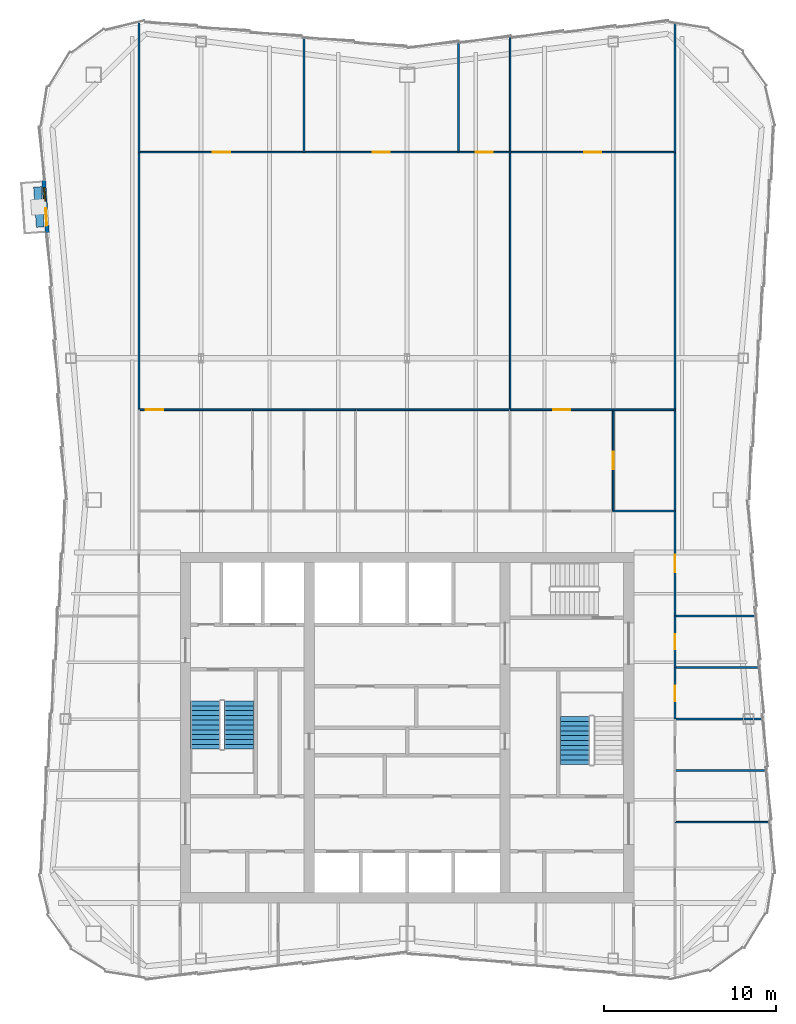
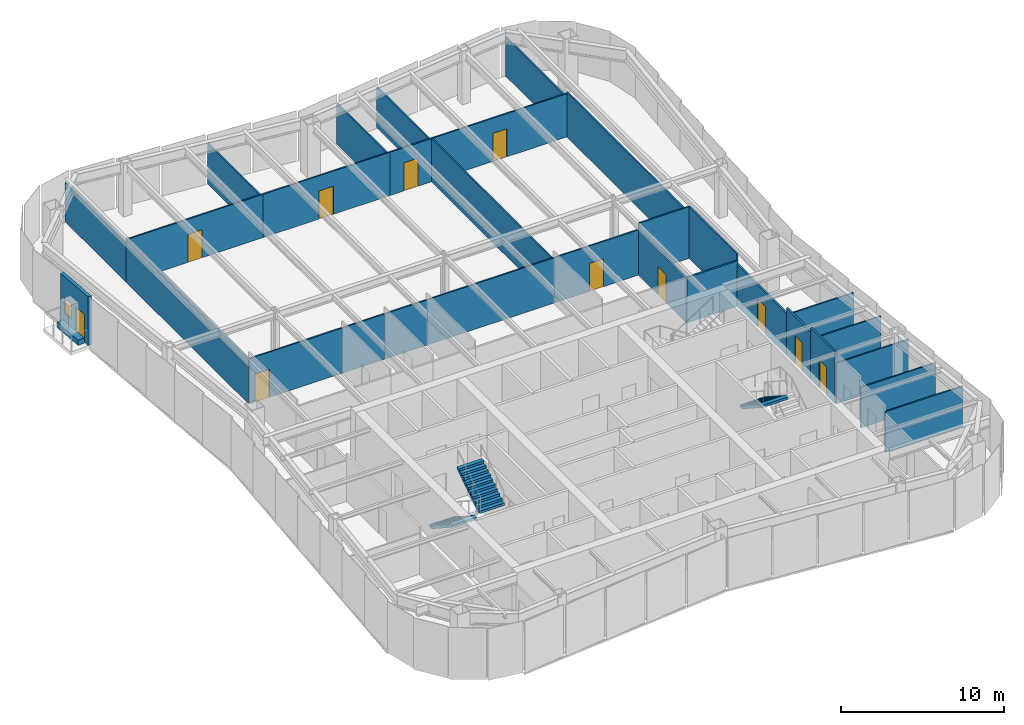
# One storey, part 8 of 11: 31 walls, 11 doors, 3 stair flights, 1 window, 12 openings, 2 elements without a shape of their own.
"""IFC4 building model written with IfcOpenShell, lengths in metres."""

from ifc_helpers import new_model, si_unit, direction, frame, frame_2d, origin, place, context, subcontext, project, spatial, polyline, rectangle, outline, extrude, material, layer, layer_set, type_object, element, fill, aggregate, save


model = new_model("IFC4")

# Units and contexts
model_context = context("Model", 3, precision=1e-05, world=origin(), true_north=direction((0.0, 1.0)))
body_context = subcontext(model_context, "Body", "Model", "MODEL_VIEW")
ifc_project = project(units=[si_unit("LENGTHUNIT", "METRE"), si_unit("AREAUNIT", "SQUARE_METRE"), si_unit("VOLUMEUNIT", "CUBIC_METRE"), si_unit("PLANEANGLEUNIT", "RADIAN"), si_unit("MASSUNIT", "GRAM", prefix="KILO")], contexts=[model_context])

# Site, building, storey
site_placement = place(None, origin())
site = spatial("IfcSite", under=ifc_project, at=site_placement, CompositionType="ELEMENT")
building_placement = place(site_placement, origin())
building = spatial("IfcBuilding", under=site, at=building_placement, Name="Verdant Reach Tower", CompositionType="ELEMENT")
storey_placement = place(building_placement, frame((0.0, 0.0, 314.0)))
storey = spatial("IfcBuildingStorey", under=building, at=storey_placement, Name="L72", CompositionType="ELEMENT", Elevation=314.0)

# Wall, openings, door, window
ifc_material_1 = material(Name="Insulated bronze aluminium panel wall", Category="aluminium")
ifc_layer_1 = layer(ifc_material_1, 0.219970703125)
ifc_layer_set_1 = layer_set([ifc_layer_1], Name="EN-INFILL WALL")
wall_type_1 = type_object("IfcWallType", Name="EN-INFILL WALL", PredefinedType="SOLIDWALL", material=ifc_layer_set_1)
wall_1_placement = place(storey_placement, frame((-21.14794921875, 59.85009765625, 0.0), z_axis=(0.0, 0.0, 1.0), x_axis=(0.068802091615, -0.997630328423, 0.0)))
wall_1 = element("IfcWall", 1, at=wall_1_placement, inside=storey, type_object=wall_type_1, Name="External infill wall, balcony bay 1, L72", PredefinedType="SOLIDWALL", context=body_context, shape_type="SweptSolid", body=[
    extrude(rectangle(XDim=3.044677734375, YDim=0.22998046875, at=frame_2d((1.5224609375, 0.0))), origin(), (0.0, 0.0, 1.0), 3.64990234375),
])
opening_1_placement = place(wall_1_placement, frame((1.629638671875, 0.0, 0.0)))
opening_1 = element("IfcOpeningElement", 2, at=opening_1_placement, cuts=wall_1, Name="Opening BD1", PredefinedType="OPENING", context=body_context, shape_type="SweptSolid", body=[
    extrude(rectangle(XDim=1.0, YDim=2.10009765625, at=frame_2d((0.5, 1.050048828125))), frame((0.0, 0.125, 0.0), z_axis=(0.0, -1.0, 0.0), x_axis=(1.0, 0.0, 0.0)), (0.0, 0.0, 1.0), 0.25),
])
opening_2_placement = place(wall_1_placement, frame((0.414794921875, 0.0, 0.89990234375)))
opening_2 = element("IfcOpeningElement", 3, at=opening_2_placement, cuts=wall_1, Name="Opening BW1", PredefinedType="OPENING", context=body_context, shape_type="SweptSolid", body=[
    extrude(rectangle(XDim=0.800048828125, YDim=1.199951171875, at=frame_2d((0.39990234375, 0.60009765625))), frame((0.0, 0.125, 0.0), z_axis=(0.0, -1.0, 0.0), x_axis=(1.0, 0.0, 0.0)), (0.0, 0.0, 1.0), 0.25),
])
ifc_material_2 = material(Name="Aluminium framed glazed door", Category="aluminium")
door_type_1 = type_object("IfcDoorType", Name="EN-DOOR BALCONY", OperationType="NOTDEFINED", PredefinedType="DOOR", material=ifc_material_2)
door_1_placement = place(opening_1_placement, origin())
door_1 = element("IfcDoor", 4, at=door_1_placement, inside=storey, type_object=door_type_1, Name="Balcony door 1, L72", OperationType="SINGLE_SWING_RIGHT", OverallHeight=2.10009765625, OverallWidth=1.0, PredefinedType="DOOR", context=body_context, shape_type="SweptSolid", body=[
    extrude(rectangle(XDim=1.0, YDim=2.10009765625, at=frame_2d((0.5, 1.050048828125))), frame((0.0, 0.02490234375, 0.0), z_axis=(0.0, -1.0, 0.0), x_axis=(1.0, 0.0, 0.0)), (0.0, 0.0, 1.0), 0.050048828125),
])
fill(opening_1, door_1)
ifc_material_3 = material(Name="Aluminium framed glazing", Category="aluminium")
window_type = type_object("IfcWindowType", Name="EN-WINDOW BALCONY", PartitioningType="SINGLE_PANEL", PredefinedType="WINDOW", material=ifc_material_3)
window_placement = place(opening_2_placement, origin())
window = element("IfcWindow", 5, at=window_placement, inside=storey, type_object=window_type, Name="Balcony window 1, L72", OverallHeight=1.199951171875, OverallWidth=0.800048828125, PartitioningType="SINGLE_PANEL", PredefinedType="WINDOW", context=body_context, shape_type="SweptSolid", body=[
    extrude(rectangle(XDim=0.800048828125, YDim=1.199951171875, at=frame_2d((0.39990234375, 0.60009765625))), frame((0.0, 0.030029296875, 0.0), z_axis=(0.0, -1.0, 0.0), x_axis=(1.0, 0.0, 0.0)), (0.0, 0.0, 1.0), 0.06005859375),
])
fill(opening_2, window)

# Walls
ifc_material_4 = material(Name="Precast concrete C30/37", Category="concrete")
ifc_layer_2 = layer(ifc_material_4, 0.449951171875)
ifc_layer_set_2 = layer_set([ifc_layer_2], Name="EN-PLANTER")
wall_type_2 = type_object("IfcWallType", Name="EN-PLANTER", PredefinedType="USERDEFINED", material=ifc_layer_set_2)
wall_2_placement = place(storey_placement, frame((-21.512939453125, 59.47412109375, 0.0), z_axis=(0.0, 0.0, 1.0), x_axis=(0.068723472833, -0.997635747295, 0.0)))
element("IfcWall", 6, at=wall_2_placement, inside=storey, type_object=wall_type_2, Name="Balcony planter 1, L72", ObjectType="PLANTER", PredefinedType="USERDEFINED", context=body_context, shape_type="SweptSolid", body=[
    extrude(rectangle(XDim=2.3447265625, YDim=0.449951171875, at=frame_2d((1.17236328125, 0.0))), origin(), (0.0, 0.0, 1.0), 0.39990234375),
])
ifc_material_5 = material(Name="Gypsum board on steel studs", Category="steel")
ifc_layer_3 = layer(ifc_material_5, 0.10009765625)
ifc_layer_set_3 = layer_set([ifc_layer_3], Name="FL-W1 Partition 100")
wall_type_3 = type_object("IfcWallType", Name="FL-W1 Partition 100", PredefinedType="PARTITIONING", material=ifc_layer_set_3)
wall_3_placement = place(storey_placement, frame((-15.60009765625, 46.5, 0.0), z_axis=(0.0, 0.0, 1.0), x_axis=(0.0, 1.0, 0.0)))
element("IfcWall", 7, at=wall_3_placement, inside=storey, type_object=wall_type_3, Name="Partition 72.21", PredefinedType="PARTITIONING", context=body_context, shape_type="SweptSolid", body=[
    extrude(rectangle(XDim=15.0, YDim=0.10009765625, at=frame_2d((7.5, 0.0))), origin(), (0.0, 0.0, 1.0), 3.35009765625),
])
wall_4_placement = place(storey_placement, frame((-15.60009765625, 61.5, 0.0), z_axis=(0.0, 0.0, 1.0), x_axis=(0.0, 1.0, 0.0)))
element("IfcWall", 8, at=wall_4_placement, inside=storey, type_object=wall_type_3, Name="Partition 72.22", PredefinedType="PARTITIONING", context=body_context, shape_type="SweptSolid", body=[
    extrude(rectangle(XDim=7.510498046875, YDim=0.10009765625, at=frame_2d((3.75537109375, 0.0))), origin(), (0.0, 0.0, 1.0), 2.929931640625),
])
wall_5_placement = place(storey_placement, frame((21.123046875, 22.5, 0.0), z_axis=(0.0, 0.0, 1.0), x_axis=(-1.0, 0.0, 0.0)))
element("IfcWall", 9, at=wall_5_placement, inside=storey, type_object=wall_type_3, Name="Partition 72.23", PredefinedType="PARTITIONING", context=body_context, shape_type="SweptSolid", body=[
    extrude(rectangle(XDim=5.52294921875, YDim=0.10009765625, at=frame_2d((2.761474609375, 0.0))), origin(), (0.0, 0.0, 1.0), 3.0400390625),
])
wall_6_placement = place(storey_placement, frame((20.916259765625, 25.5, 0.0), z_axis=(0.0, 0.0, 1.0), x_axis=(-1.0, 0.0, 0.0)))
element("IfcWall", 10, at=wall_6_placement, inside=storey, type_object=wall_type_3, Name="Partition 72.24", PredefinedType="PARTITIONING", context=body_context, shape_type="SweptSolid", body=[
    extrude(rectangle(XDim=5.316162109375, YDim=0.10009765625, at=frame_2d((2.658203125, 0.0))), origin(), (0.0, 0.0, 1.0), 3.0400390625),
])
wall_7_placement = place(storey_placement, frame((20.709228515625, 28.5, 0.0), z_axis=(0.0, 0.0, 1.0), x_axis=(-1.0, 0.0, 0.0)))
element("IfcWall", 11, at=wall_7_placement, inside=storey, type_object=wall_type_3, Name="Partition 72.25", PredefinedType="PARTITIONING", context=body_context, shape_type="SweptSolid", body=[
    extrude(rectangle(XDim=5.109130859375, YDim=0.10009765625, at=frame_2d((2.5546875, 0.0))), origin(), (0.0, 0.0, 1.0), 3.0400390625),
])
wall_8_placement = place(storey_placement, frame((20.50244140625, 31.5, 0.0), z_axis=(0.0, 0.0, 1.0), x_axis=(-1.0, 0.0, 0.0)))
element("IfcWall", 12, at=wall_8_placement, inside=storey, type_object=wall_type_3, Name="Partition 72.26", PredefinedType="PARTITIONING", context=body_context, shape_type="SweptSolid", body=[
    extrude(rectangle(XDim=4.90234375, YDim=0.10009765625, at=frame_2d((2.451171875, 0.0))), origin(), (0.0, 0.0, 1.0), 3.0400390625),
])
wall_9_placement = place(storey_placement, frame((20.29541015625, 34.5, 0.0), z_axis=(0.0, 0.0, 1.0), x_axis=(-1.0, 0.0, 0.0)))
element("IfcWall", 13, at=wall_9_placement, inside=storey, type_object=wall_type_3, Name="Partition 72.27", PredefinedType="PARTITIONING", context=body_context, shape_type="SweptSolid", body=[
    extrude(rectangle(XDim=4.6953125, YDim=0.10009765625, at=frame_2d((2.34765625, 0.0))), origin(), (0.0, 0.0, 1.0), 3.0400390625),
])
wall_10_placement = place(storey_placement, frame((15.60009765625, 46.5, 0.0), z_axis=(0.0, 0.0, 1.0), x_axis=(0.0, -1.0, 0.0)))
element("IfcWall", 14, at=wall_10_placement, inside=storey, type_object=wall_type_3, Name="Partition 72.28", PredefinedType="PARTITIONING", context=body_context, shape_type="SweptSolid", body=[
    extrude(rectangle(XDim=5.89990234375, YDim=0.10009765625, at=frame_2d((2.949951171875, 0.0))), origin(), (0.0, 0.0, 1.0), 3.8701171875),
])
wall_11_placement = place(storey_placement, frame((15.60009765625, 61.5, 0.0), z_axis=(0.0, 0.0, 1.0), x_axis=(0.0, -1.0, 0.0)))
element("IfcWall", 15, at=wall_11_placement, inside=storey, type_object=wall_type_3, Name="Partition 72.29", PredefinedType="PARTITIONING", context=body_context, shape_type="SweptSolid", body=[
    extrude(rectangle(XDim=15.0, YDim=0.10009765625, at=frame_2d((7.5, 0.0))), origin(), (0.0, 0.0, 1.0), 3.35009765625),
])
wall_12_placement = place(storey_placement, frame((15.60009765625, 69.010498046875, 0.0), z_axis=(0.0, 0.0, 1.0), x_axis=(0.0, -1.0, 0.0)))
element("IfcWall", 16, at=wall_12_placement, inside=storey, type_object=wall_type_3, Name="Partition 72.30", PredefinedType="PARTITIONING", context=body_context, shape_type="SweptSolid", body=[
    extrude(rectangle(XDim=7.510498046875, YDim=0.10009765625, at=frame_2d((3.75537109375, 0.0))), origin(), (0.0, 0.0, 1.0), 2.929931640625),
])

# Wall, opening, door
wall_13_placement = place(storey_placement, frame((-15.60009765625, 46.5, 0.0), z_axis=(0.0, 0.0, 1.0), x_axis=(1.0, 0.0, 0.0)))
wall_13 = element("IfcWall", 17, at=wall_13_placement, inside=storey, type_object=wall_type_3, Name="Partition 72.35", PredefinedType="PARTITIONING", context=body_context, shape_type="SweptSolid", body=[
    extrude(rectangle(XDim=6.60400390625, YDim=0.10009765625, at=frame_2d((3.302001953125, 0.0))), origin(), (0.0, 0.0, 1.0), 3.389892578125),
])
opening_3_placement = place(wall_13_placement, frame((0.402099609375, 0.0, 0.0)))
opening_3 = element("IfcOpeningElement", 18, at=opening_3_placement, cuts=wall_13, Name="Opening D3", PredefinedType="OPENING", context=body_context, shape_type="SweptSolid", body=[
    extrude(rectangle(XDim=1.0, YDim=2.10009765625, at=frame_2d((0.5, 1.050048828125))), frame((0.0, 0.06005859375, 0.0), z_axis=(0.0, -1.0, 0.0), x_axis=(1.0, 0.0, 0.0)), (0.0, 0.0, 1.0), 0.1201171875),
])
ifc_material_6 = material(Name="Painted timber door leaf", Category="wood")
door_type_2 = type_object("IfcDoorType", Name="FL-D3 Door 1000x2100", OperationType="NOTDEFINED", PredefinedType="DOOR", material=ifc_material_6)
door_2_placement = place(opening_3_placement, origin())
door_2 = element("IfcDoor", 19, at=door_2_placement, inside=storey, type_object=door_type_2, Name="Door 72-018", OperationType="SINGLE_SWING_LEFT", OverallHeight=2.10009765625, OverallWidth=1.0, PredefinedType="DOOR", context=body_context, shape_type="SweptSolid", body=[
    extrude(rectangle(XDim=1.0, YDim=2.10009765625, at=frame_2d((0.5, 1.050048828125))), frame((0.0, 0.02490234375, 0.0), z_axis=(0.0, -1.0, 0.0), x_axis=(1.0, 0.0, 0.0)), (0.0, 0.0, 1.0), 0.050048828125),
])
fill(opening_3, door_2)

# Walls
for number, where, z_axis, x_axis, name in (
    (20, (-5.99609375, 46.5, 0.0), (0.0, 0.0, 1.0), (-1.0, 0.0, 0.0), "Partition 72.37"),
    (21, (-2.99609375, 46.5, 0.0), (0.0, 0.0, 1.0), (-1.0, 0.0, 0.0), "Partition 72.39"),
):
    element("IfcWall", number, at=place(storey_placement, frame(where, z_axis=z_axis, x_axis=x_axis)), inside=storey, type_object=wall_type_3, Name=name, PredefinedType="PARTITIONING", context=body_context, shape_type="SweptSolid", body=[
        extrude(rectangle(XDim=3.0078125, YDim=0.10009765625, at=frame_2d((1.50390625, 0.0))), origin(), (0.0, 0.0, 1.0), 3.389892578125),
    ])
wall_14_placement = place(storey_placement, frame((6.0, 46.5, 0.0), z_axis=(0.0, 0.0, 1.0), x_axis=(-1.0, 0.0, 0.0)))
element("IfcWall", 22, at=wall_14_placement, inside=storey, type_object=wall_type_3, Name="Partition 72.40", PredefinedType="PARTITIONING", context=body_context, shape_type="SweptSolid", body=[
    extrude(rectangle(XDim=9.00390625, YDim=0.10009765625, at=frame_2d((4.501953125, 0.0))), origin(), (0.0, 0.0, 1.0), 3.389892578125),
])

# Wall, opening, door
wall_15_placement = place(storey_placement, frame((-15.60009765625, 61.5, 0.0), z_axis=(0.0, 0.0, 1.0), x_axis=(1.0, 0.0, 0.0)))
wall_15 = element("IfcWall", 23, at=wall_15_placement, inside=storey, type_object=wall_type_3, Name="Partition 72.42", PredefinedType="PARTITIONING", context=body_context, shape_type="SweptSolid", body=[
    extrude(rectangle(XDim=9.60009765625, YDim=0.10009765625, at=frame_2d((4.800048828125, 0.0))), origin(), (0.0, 0.0, 1.0), 3.239990234375),
])
opening_4_placement = place(wall_15_placement, frame((4.300048828125, 0.0, 0.0)))
opening_4 = element("IfcOpeningElement", 24, at=opening_4_placement, cuts=wall_15, Name="Opening D3", PredefinedType="OPENING", context=body_context, shape_type="SweptSolid", body=[
    extrude(rectangle(XDim=1.0, YDim=2.10009765625, at=frame_2d((0.5, 1.050048828125))), frame((0.0, 0.06005859375, 0.0), z_axis=(0.0, -1.0, 0.0), x_axis=(1.0, 0.0, 0.0)), (0.0, 0.0, 1.0), 0.1201171875),
])
door_3_placement = place(opening_4_placement, origin())
door_3 = element("IfcDoor", 25, at=door_3_placement, inside=storey, type_object=door_type_2, Name="Door 72-020", OperationType="SINGLE_SWING_RIGHT", OverallHeight=2.10009765625, OverallWidth=1.0, PredefinedType="DOOR", context=body_context, shape_type="SweptSolid", body=[
    extrude(rectangle(XDim=1.0, YDim=2.10009765625, at=frame_2d((0.5, 1.050048828125))), frame((0.0, 0.02490234375, 0.0), z_axis=(0.0, -1.0, 0.0), x_axis=(1.0, 0.0, 0.0)), (0.0, 0.0, 1.0), 0.050048828125),
])
fill(opening_4, door_3)

wall_16_placement = place(storey_placement, frame((-6.0, 61.5, 0.0), z_axis=(0.0, 0.0, 1.0), x_axis=(1.0, 0.0, 0.0)))
wall_16 = element("IfcWall", 26, at=wall_16_placement, inside=storey, type_object=wall_type_3, Name="Partition 72.43", PredefinedType="PARTITIONING", context=body_context, shape_type="SweptSolid", body=[
    extrude(rectangle(XDim=9.0, YDim=0.10009765625, at=frame_2d((4.5, 0.0))), origin(), (0.0, 0.0, 1.0), 3.239990234375),
])
opening_5_placement = place(wall_16_placement, frame((4.0, 0.0, 0.0)))
opening_5 = element("IfcOpeningElement", 27, at=opening_5_placement, cuts=wall_16, Name="Opening D3", PredefinedType="OPENING", context=body_context, shape_type="SweptSolid", body=[
    extrude(rectangle(XDim=1.0, YDim=2.10009765625, at=frame_2d((0.5, 1.050048828125))), frame((0.0, 0.06005859375, 0.0), z_axis=(0.0, -1.0, 0.0), x_axis=(1.0, 0.0, 0.0)), (0.0, 0.0, 1.0), 0.1201171875),
])
door_4_placement = place(opening_5_placement, origin())
door_4 = element("IfcDoor", 28, at=door_4_placement, inside=storey, type_object=door_type_2, Name="Door 72-021", OperationType="SINGLE_SWING_LEFT", OverallHeight=2.10009765625, OverallWidth=1.0, PredefinedType="DOOR", context=body_context, shape_type="SweptSolid", body=[
    extrude(rectangle(XDim=1.0, YDim=2.10009765625, at=frame_2d((0.5, 1.050048828125))), frame((0.0, 0.02490234375, 0.0), z_axis=(0.0, -1.0, 0.0), x_axis=(1.0, 0.0, 0.0)), (0.0, 0.0, 1.0), 0.050048828125),
])
fill(opening_5, door_4)

wall_17_placement = place(storey_placement, frame((3.0, 61.5, 0.0), z_axis=(0.0, 0.0, 1.0), x_axis=(1.0, 0.0, 0.0)))
wall_17 = element("IfcWall", 29, at=wall_17_placement, inside=storey, type_object=wall_type_3, Name="Partition 72.44", PredefinedType="PARTITIONING", context=body_context, shape_type="SweptSolid", body=[
    extrude(rectangle(XDim=3.0, YDim=0.10009765625, at=frame_2d((1.5, 0.0))), origin(), (0.0, 0.0, 1.0), 3.239990234375),
])
opening_6_placement = place(wall_17_placement, frame((1.0, 0.0, 0.0)))
opening_6 = element("IfcOpeningElement", 30, at=opening_6_placement, cuts=wall_17, Name="Opening D3", PredefinedType="OPENING", context=body_context, shape_type="SweptSolid", body=[
    extrude(rectangle(XDim=1.0, YDim=2.10009765625, at=frame_2d((0.5, 1.050048828125))), frame((0.0, 0.06005859375, 0.0), z_axis=(0.0, -1.0, 0.0), x_axis=(1.0, 0.0, 0.0)), (0.0, 0.0, 1.0), 0.1201171875),
])
door_5_placement = place(opening_6_placement, origin())
door_5 = element("IfcDoor", 31, at=door_5_placement, inside=storey, type_object=door_type_2, Name="Door 72-022", OperationType="SINGLE_SWING_RIGHT", OverallHeight=2.10009765625, OverallWidth=1.0, PredefinedType="DOOR", context=body_context, shape_type="SweptSolid", body=[
    extrude(rectangle(XDim=1.0, YDim=2.10009765625, at=frame_2d((0.5, 1.050048828125))), frame((0.0, 0.02490234375, 0.0), z_axis=(0.0, -1.0, 0.0), x_axis=(1.0, 0.0, 0.0)), (0.0, 0.0, 1.0), 0.050048828125),
])
fill(opening_6, door_5)

# Walls
wall_18_placement = place(storey_placement, frame((6.0, 46.5, 0.0), z_axis=(0.0, 0.0, 1.0), x_axis=(0.0, 1.0, 0.0)))
element("IfcWall", 32, at=wall_18_placement, inside=storey, type_object=wall_type_3, Name="Partition 72.45", PredefinedType="PARTITIONING", context=body_context, shape_type="SweptSolid", body=[
    extrude(rectangle(XDim=15.0, YDim=0.10009765625, at=frame_2d((7.5, 0.0))), origin(), (0.0, 0.0, 1.0), 3.239990234375),
])
wall_19_placement = place(storey_placement, frame((-6.0, 61.5, 0.0), z_axis=(0.0, 0.0, 1.0), x_axis=(0.0, 1.0, 0.0)))
element("IfcWall", 33, at=wall_19_placement, inside=storey, type_object=wall_type_3, Name="Partition 72.46", PredefinedType="PARTITIONING", context=body_context, shape_type="SweptSolid", body=[
    extrude(rectangle(XDim=6.670166015625, YDim=0.10009765625, at=frame_2d((3.3349609375, 0.0))), origin(), (0.0, 0.0, 1.0), 3.0400390625),
])
wall_20_placement = place(storey_placement, frame((3.0, 61.5, 0.0), z_axis=(0.0, 0.0, 1.0), x_axis=(0.0, 1.0, 0.0)))
element("IfcWall", 34, at=wall_20_placement, inside=storey, type_object=wall_type_3, Name="Partition 72.47", PredefinedType="PARTITIONING", context=body_context, shape_type="SweptSolid", body=[
    extrude(rectangle(XDim=6.375, YDim=0.10009765625, at=frame_2d((3.1875, 0.0))), origin(), (0.0, 0.0, 1.0), 3.0400390625),
])
wall_21_placement = place(storey_placement, frame((6.0, 61.5, 0.0), z_axis=(0.0, 0.0, 1.0), x_axis=(0.0, 1.0, 0.0)))
element("IfcWall", 35, at=wall_21_placement, inside=storey, type_object=wall_type_3, Name="Partition 72.48", PredefinedType="PARTITIONING", context=body_context, shape_type="SweptSolid", body=[
    extrude(rectangle(XDim=6.670166015625, YDim=0.10009765625, at=frame_2d((3.3349609375, 0.0))), origin(), (0.0, 0.0, 1.0), 3.0400390625),
])

# Wall, opening, door
wall_22_placement = place(storey_placement, frame((12.0, 46.5, 0.0), z_axis=(0.0, 0.0, 1.0), x_axis=(0.0, -1.0, 0.0)))
wall_22 = element("IfcWall", 36, at=wall_22_placement, inside=storey, type_object=wall_type_3, Name="Partition 72.49", PredefinedType="PARTITIONING", context=body_context, shape_type="SweptSolid", body=[
    extrude(rectangle(XDim=5.89990234375, YDim=0.10009765625, at=frame_2d((2.949951171875, 0.0))), origin(), (0.0, 0.0, 1.0), 3.389892578125),
])
opening_7_placement = place(wall_22_placement, frame((2.449951171875, 0.0, 0.0)))
opening_7 = element("IfcOpeningElement", 37, at=opening_7_placement, cuts=wall_22, Name="Opening D3", PredefinedType="OPENING", context=body_context, shape_type="SweptSolid", body=[
    extrude(rectangle(XDim=1.0, YDim=2.10009765625, at=frame_2d((0.5, 1.050048828125))), frame((0.0, 0.06005859375, 0.0), z_axis=(0.0, -1.0, 0.0), x_axis=(1.0, 0.0, 0.0)), (0.0, 0.0, 1.0), 0.1201171875),
])
door_6_placement = place(opening_7_placement, origin())
door_6 = element("IfcDoor", 38, at=door_6_placement, inside=storey, type_object=door_type_2, Name="Door 72-023", OperationType="SINGLE_SWING_LEFT", OverallHeight=2.10009765625, OverallWidth=1.0, PredefinedType="DOOR", context=body_context, shape_type="SweptSolid", body=[
    extrude(rectangle(XDim=1.0, YDim=2.10009765625, at=frame_2d((0.5, 1.050048828125))), frame((0.0, 0.02490234375, 0.0), z_axis=(0.0, -1.0, 0.0), x_axis=(1.0, 0.0, 0.0)), (0.0, 0.0, 1.0), 0.050048828125),
])
fill(opening_7, door_6)

wall_23_placement = place(storey_placement, frame((6.0, 46.5, 0.0), z_axis=(0.0, 0.0, 1.0), x_axis=(1.0, 0.0, 0.0)))
wall_23 = element("IfcWall", 39, at=wall_23_placement, inside=storey, type_object=wall_type_3, Name="Partition 72.50", PredefinedType="PARTITIONING", context=body_context, shape_type="SweptSolid", body=[
    extrude(rectangle(XDim=6.00390625, YDim=0.10009765625, at=frame_2d((3.001953125, 0.0))), origin(), (0.0, 0.0, 1.0), 3.389892578125),
])
opening_8_placement = place(wall_23_placement, frame((2.501953125, 0.0, 0.0)))
opening_8 = element("IfcOpeningElement", 40, at=opening_8_placement, cuts=wall_23, Name="Opening D3", PredefinedType="OPENING", context=body_context, shape_type="SweptSolid", body=[
    extrude(rectangle(XDim=1.0, YDim=2.10009765625, at=frame_2d((0.5, 1.050048828125))), frame((0.0, 0.06005859375, 0.0), z_axis=(0.0, -1.0, 0.0), x_axis=(1.0, 0.0, 0.0)), (0.0, 0.0, 1.0), 0.1201171875),
])
door_7_placement = place(opening_8_placement, origin())
door_7 = element("IfcDoor", 41, at=door_7_placement, inside=storey, type_object=door_type_2, Name="Door 72-024", OperationType="SINGLE_SWING_RIGHT", OverallHeight=2.10009765625, OverallWidth=1.0, PredefinedType="DOOR", context=body_context, shape_type="SweptSolid", body=[
    extrude(rectangle(XDim=1.0, YDim=2.10009765625, at=frame_2d((0.5, 1.050048828125))), frame((0.0, 0.02490234375, 0.0), z_axis=(0.0, -1.0, 0.0), x_axis=(1.0, 0.0, 0.0)), (0.0, 0.0, 1.0), 0.050048828125),
])
fill(opening_8, door_7)

# Wall
wall_24_placement = place(storey_placement, frame((15.60009765625, 46.5, 0.0), z_axis=(0.0, 0.0, 1.0), x_axis=(-1.0, 0.0, 0.0)))
element("IfcWall", 42, at=wall_24_placement, inside=storey, type_object=wall_type_3, Name="Partition 72.51", PredefinedType="PARTITIONING", context=body_context, shape_type="SweptSolid", body=[
    extrude(rectangle(XDim=3.60400390625, YDim=0.10009765625, at=frame_2d((1.802001953125, 0.0))), origin(), (0.0, 0.0, 1.0), 3.8701171875),
])

# Wall, opening, door
wall_25_placement = place(storey_placement, frame((6.0, 61.5, 0.0), z_axis=(0.0, 0.0, 1.0), x_axis=(1.0, 0.0, 0.0)))
wall_25 = element("IfcWall", 43, at=wall_25_placement, inside=storey, type_object=wall_type_3, Name="Partition 72.52", PredefinedType="PARTITIONING", context=body_context, shape_type="SweptSolid", body=[
    extrude(rectangle(XDim=9.60009765625, YDim=0.10009765625, at=frame_2d((4.800048828125, 0.0))), origin(), (0.0, 0.0, 1.0), 3.239990234375),
])
opening_9_placement = place(wall_25_placement, frame((4.300048828125, 0.0, 0.0)))
opening_9 = element("IfcOpeningElement", 44, at=opening_9_placement, cuts=wall_25, Name="Opening D3", PredefinedType="OPENING", context=body_context, shape_type="SweptSolid", body=[
    extrude(rectangle(XDim=1.0, YDim=2.10009765625, at=frame_2d((0.5, 1.050048828125))), frame((0.0, 0.06005859375, 0.0), z_axis=(0.0, -1.0, 0.0), x_axis=(1.0, 0.0, 0.0)), (0.0, 0.0, 1.0), 0.1201171875),
])
door_8_placement = place(opening_9_placement, origin())
door_8 = element("IfcDoor", 45, at=door_8_placement, inside=storey, type_object=door_type_2, Name="Door 72-025", OperationType="SINGLE_SWING_LEFT", OverallHeight=2.10009765625, OverallWidth=1.0, PredefinedType="DOOR", context=body_context, shape_type="SweptSolid", body=[
    extrude(rectangle(XDim=1.0, YDim=2.10009765625, at=frame_2d((0.5, 1.050048828125))), frame((0.0, 0.02490234375, 0.0), z_axis=(0.0, -1.0, 0.0), x_axis=(1.0, 0.0, 0.0)), (0.0, 0.0, 1.0), 0.050048828125),
])
fill(opening_9, door_8)

ifc_material_7 = material(Name="Gypsum board on steel studs, fire rated", Category="steel")
ifc_layer_4 = layer(ifc_material_7, 0.125)
ifc_layer_set_4 = layer_set([ifc_layer_4], Name="FL-W2 Corridor wall 125")
wall_type_4 = type_object("IfcWallType", Name="FL-W2 Corridor wall 125", PredefinedType="PARTITIONING", material=ifc_layer_set_4)
wall_26_placement = place(storey_placement, frame((15.60009765625, 31.5, 0.0), z_axis=(0.0, 0.0, 1.0), x_axis=(0.0, -1.0, 0.0)))
wall_26 = element("IfcWall", 46, at=wall_26_placement, inside=storey, type_object=wall_type_4, Name="Partition 72.07", PredefinedType="PARTITIONING", context=body_context, shape_type="SweptSolid", body=[
    extrude(rectangle(XDim=3.0, YDim=0.125, at=frame_2d((1.5, 0.0))), origin(), (0.0, 0.0, 1.0), 3.8701171875),
])
opening_10_placement = place(wall_26_placement, frame((1.050048828125, 0.0, 0.0)))
opening_10 = element("IfcOpeningElement", 47, at=opening_10_placement, cuts=wall_26, Name="Opening D1", PredefinedType="OPENING", context=body_context, shape_type="SweptSolid", body=[
    extrude(rectangle(XDim=0.89990234375, YDim=2.10009765625, at=frame_2d((0.449951171875, 1.050048828125))), frame((0.0, 0.072509765625, 0.0), z_axis=(0.0, -1.0, 0.0), x_axis=(1.0, 0.0, 0.0)), (0.0, 0.0, 1.0), 0.14501953125),
])
door_type_3 = type_object("IfcDoorType", Name="FL-D1 Door 900x2100", OperationType="NOTDEFINED", PredefinedType="DOOR", material=ifc_material_6)
door_9_placement = place(opening_10_placement, origin())
door_9 = element("IfcDoor", 48, at=door_9_placement, inside=storey, type_object=door_type_3, Name="Door 72-007", OperationType="SINGLE_SWING_LEFT", OverallHeight=2.10009765625, OverallWidth=0.89990234375, PredefinedType="DOOR", context=body_context, shape_type="SweptSolid", body=[
    extrude(rectangle(XDim=0.89990234375, YDim=2.10009765625, at=frame_2d((0.449951171875, 1.050048828125))), frame((0.0, 0.02490234375, 0.0), z_axis=(0.0, -1.0, 0.0), x_axis=(1.0, 0.0, 0.0)), (0.0, 0.0, 1.0), 0.050048828125),
])
fill(opening_10, door_9)

wall_27_placement = place(storey_placement, frame((15.60009765625, 34.5, 0.0), z_axis=(0.0, 0.0, 1.0), x_axis=(0.0, -1.0, 0.0)))
wall_27 = element("IfcWall", 49, at=wall_27_placement, inside=storey, type_object=wall_type_4, Name="Partition 72.08", PredefinedType="PARTITIONING", context=body_context, shape_type="SweptSolid", body=[
    extrude(rectangle(XDim=3.0, YDim=0.125, at=frame_2d((1.5, 0.0))), origin(), (0.0, 0.0, 1.0), 3.5400390625),
])
opening_11_placement = place(wall_27_placement, frame((1.050048828125, 0.0, 0.0)))
opening_11 = element("IfcOpeningElement", 50, at=opening_11_placement, cuts=wall_27, Name="Opening D1", PredefinedType="OPENING", context=body_context, shape_type="SweptSolid", body=[
    extrude(rectangle(XDim=0.89990234375, YDim=2.10009765625, at=frame_2d((0.449951171875, 1.050048828125))), frame((0.0, 0.072509765625, 0.0), z_axis=(0.0, -1.0, 0.0), x_axis=(1.0, 0.0, 0.0)), (0.0, 0.0, 1.0), 0.14501953125),
])
door_10_placement = place(opening_11_placement, origin())
door_10 = element("IfcDoor", 51, at=door_10_placement, inside=storey, type_object=door_type_3, Name="Door 72-008", OperationType="SINGLE_SWING_RIGHT", OverallHeight=2.10009765625, OverallWidth=0.89990234375, PredefinedType="DOOR", context=body_context, shape_type="SweptSolid", body=[
    extrude(rectangle(XDim=0.89990234375, YDim=2.10009765625, at=frame_2d((0.449951171875, 1.050048828125))), frame((0.0, 0.02490234375, 0.0), z_axis=(0.0, -1.0, 0.0), x_axis=(1.0, 0.0, 0.0)), (0.0, 0.0, 1.0), 0.050048828125),
])
fill(opening_11, door_10)

wall_28_placement = place(storey_placement, frame((15.60009765625, 40.60400390625, 0.0), z_axis=(0.0, 0.0, 1.0), x_axis=(0.0, -1.0, 0.0)))
wall_28 = element("IfcWall", 52, at=wall_28_placement, inside=storey, type_object=wall_type_4, Name="Partition 72.09", PredefinedType="PARTITIONING", context=body_context, shape_type="SweptSolid", body=[
    extrude(rectangle(XDim=6.10400390625, YDim=0.125, at=frame_2d((3.052001953125, 0.0))), origin(), (0.0, 0.0, 1.0), 3.139892578125),
])
opening_12_placement = place(wall_28_placement, frame((2.552001953125, 0.0, 0.0)))
opening_12 = element("IfcOpeningElement", 53, at=opening_12_placement, cuts=wall_28, Name="Opening D2", PredefinedType="OPENING", context=body_context, shape_type="SweptSolid", body=[
    extrude(rectangle(XDim=1.0, YDim=2.10009765625, at=frame_2d((0.5, 1.050048828125))), frame((0.0, 0.072509765625, 0.0), z_axis=(0.0, -1.0, 0.0), x_axis=(1.0, 0.0, 0.0)), (0.0, 0.0, 1.0), 0.14501953125),
])
ifc_material_8 = material(Name="Timber door leaf, fire rated", Category="wood")
door_type_4 = type_object("IfcDoorType", Name="FL-D2 Entrance door 1000x2100 FD30", OperationType="NOTDEFINED", PredefinedType="DOOR", material=ifc_material_8)
door_11_placement = place(opening_12_placement, origin())
door_11 = element("IfcDoor", 54, at=door_11_placement, inside=storey, type_object=door_type_4, Name="Door 72-009", OperationType="SINGLE_SWING_LEFT", OverallHeight=2.10009765625, OverallWidth=1.0, PredefinedType="DOOR", context=body_context, shape_type="SweptSolid", body=[
    extrude(rectangle(XDim=1.0, YDim=2.10009765625, at=frame_2d((0.5, 1.050048828125))), frame((0.0, 0.02490234375, 0.0), z_axis=(0.0, -1.0, 0.0), x_axis=(1.0, 0.0, 0.0)), (0.0, 0.0, 1.0), 0.050048828125),
])
fill(opening_12, door_11)

# Wall
wall_29_placement = place(storey_placement, frame((15.60009765625, 40.60009765625, 0.0), z_axis=(0.0, 0.0, 1.0), x_axis=(-1.0, 0.0, 0.0)))
element("IfcWall", 55, at=wall_29_placement, inside=storey, type_object=wall_type_4, Name="Partition 72.17", PredefinedType="PARTITIONING", context=body_context, shape_type="SweptSolid", body=[
    extrude(rectangle(XDim=3.60009765625, YDim=0.125, at=frame_2d((1.800048828125, 0.0))), origin(), (0.0, 0.0, 1.0), 3.389892578125),
])

# Stair, stair flights
ifc_material_9 = material(Name="Concrete C40/50", Category="concrete")
stair_type = type_object("IfcStairType", Name="CO-STAIR", PredefinedType="HALF_TURN_STAIR", material=ifc_material_9)
stair_1_placement = place(storey_placement, origin())
stair_1 = element("IfcStair", 56, at=stair_1_placement, inside=storey, type_object=stair_type, Name="L72 Exit stair 1", PredefinedType="HALF_TURN_STAIR")
stair_flight_type = type_object("IfcStairFlightType", Name="CO-STAIR-FLIGHT", PredefinedType="STRAIGHT", material=ifc_material_9)
stair_flight_1_placement = place(storey_placement, frame((-11.72509765625, 29.550048828125, 0.0), z_axis=(0.0, 0.0, 1.0), x_axis=(0.0, -1.0, 0.0)))
stair_flight_1 = element("IfcStairFlight", 57, at=stair_flight_1_placement, type_object=stair_flight_type, Name="ST-1 flight 1", NumberOfRisers=11, NumberOfTreads=10, PredefinedType="STRAIGHT", RiserHeight=0.181818182, TreadLength=0.28, context=body_context, shape_type="SweptSolid", body=[
    extrude(outline(polyline([(0.0, 0.0), (0.0, 0.181884765625), (0.280029296875, 0.181884765625), (0.280029296875, 0.363525390625), (0.56005859375, 0.363525390625), (0.56005859375, 0.54541015625), (0.840087890625, 0.54541015625), (0.840087890625, 0.727294921875), (1.1201171875, 0.727294921875), (1.1201171875, 0.9091796875), (1.39990234375, 0.9091796875), (1.39990234375, 1.0908203125), (1.679931640625, 1.0908203125), (1.679931640625, 1.272705078125), (1.9599609375, 1.272705078125), (1.9599609375, 1.45458984375), (2.239990234375, 1.45458984375), (2.239990234375, 1.636474609375), (2.52001953125, 1.636474609375), (2.52001953125, 1.818115234375), (2.800048828125, 1.818115234375), (2.800048828125, 2.0), (2.800048828125, 1.639404296875), (0.275146484375, 0.0), (0.0, 0.0)])), frame((0.0, 0.875, 0.0), z_axis=(0.0, -1.0, 0.0), x_axis=(1.0, 0.0, 0.0)), (0.0, 0.0, 1.0), 1.75),
])
stair_flight_2_placement = place(storey_placement, frame((-9.77490234375, 26.75, 2.0), z_axis=(0.0, 0.0, 1.0), x_axis=(0.0, 1.0, 0.0)))
stair_flight_2 = element("IfcStairFlight", 58, at=stair_flight_2_placement, type_object=stair_flight_type, Name="ST-1 flight 2", NumberOfRisers=11, NumberOfTreads=10, PredefinedType="STRAIGHT", RiserHeight=0.181818182, TreadLength=0.28, context=body_context, shape_type="SweptSolid", body=[
    extrude(outline(polyline([(0.0, 0.0), (0.0, 0.181884765625), (0.280029296875, 0.181884765625), (0.280029296875, 0.363525390625), (0.56005859375, 0.363525390625), (0.56005859375, 0.54541015625), (0.840087890625, 0.54541015625), (0.840087890625, 0.727294921875), (1.1201171875, 0.727294921875), (1.1201171875, 0.9091796875), (1.39990234375, 0.9091796875), (1.39990234375, 1.0908203125), (1.679931640625, 1.0908203125), (1.679931640625, 1.272705078125), (1.9599609375, 1.272705078125), (1.9599609375, 1.45458984375), (2.239990234375, 1.45458984375), (2.239990234375, 1.636474609375), (2.52001953125, 1.636474609375), (2.52001953125, 1.818115234375), (2.800048828125, 1.818115234375), (2.800048828125, 2.0), (2.800048828125, 1.639404296875), (0.275146484375, 0.0), (0.0, 0.0)])), frame((0.0, 0.875, 0.0), z_axis=(0.0, -1.0, 0.0), x_axis=(1.0, 0.0, 0.0)), (0.0, 0.0, 1.0), 1.75),
])
aggregate(stair_1, [stair_flight_1, stair_flight_2])

# Stair, stair flight
stair_2_placement = place(storey_placement, origin())
stair_2 = element("IfcStair", 59, at=stair_2_placement, inside=storey, type_object=stair_type, Name="L72 Exit stair 2", PredefinedType="HALF_TURN_STAIR")
stair_flight_3_placement = place(storey_placement, frame((9.77490234375, 28.64990234375, 2.0), z_axis=(0.0, 0.0, 1.0), x_axis=(0.0, -1.0, 0.0)))
stair_flight_3 = element("IfcStairFlight", 60, at=stair_flight_3_placement, type_object=stair_flight_type, Name="ST-2 flight 2", NumberOfRisers=11, NumberOfTreads=10, PredefinedType="STRAIGHT", RiserHeight=0.181818182, TreadLength=0.28, context=body_context, shape_type="SweptSolid", body=[
    extrude(outline(polyline([(0.0, 0.0), (0.0, 0.181884765625), (0.280029296875, 0.181884765625), (0.280029296875, 0.363525390625), (0.56005859375, 0.363525390625), (0.56005859375, 0.54541015625), (0.840087890625, 0.54541015625), (0.840087890625, 0.727294921875), (1.1201171875, 0.727294921875), (1.1201171875, 0.9091796875), (1.39990234375, 0.9091796875), (1.39990234375, 1.0908203125), (1.679931640625, 1.0908203125), (1.679931640625, 1.272705078125), (1.9599609375, 1.272705078125), (1.9599609375, 1.45458984375), (2.239990234375, 1.45458984375), (2.239990234375, 1.636474609375), (2.52001953125, 1.636474609375), (2.52001953125, 1.818115234375), (2.800048828125, 1.818115234375), (2.800048828125, 2.0), (2.800048828125, 1.639404296875), (0.275146484375, 0.0), (0.0, 0.0)])), frame((0.0, 0.875, 0.0), z_axis=(0.0, -1.0, 0.0), x_axis=(1.0, 0.0, 0.0)), (0.0, 0.0, 1.0), 1.75),
])
aggregate(stair_2, [stair_flight_3])

save(model, "model.ifc")
